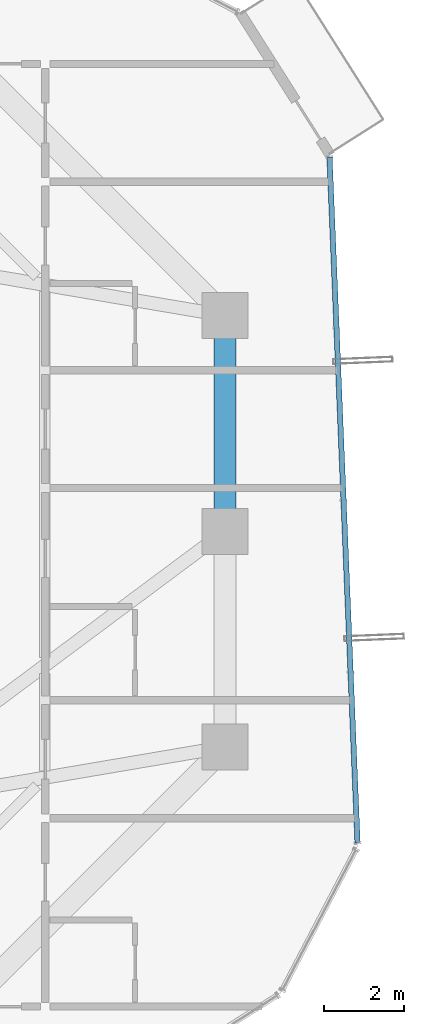
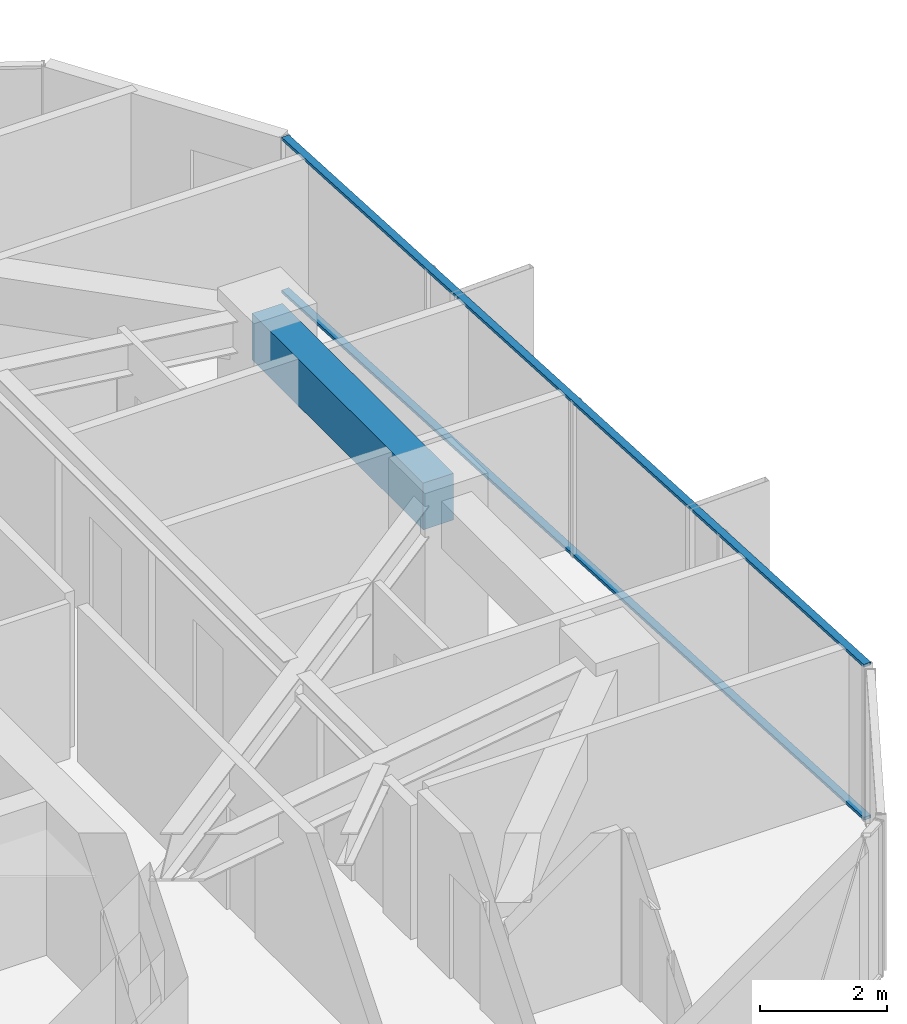
# One storey, part 15 of 32: 2 members, 1 beam, 1 element without a shape of its own.
"""IFC4 building model written with IfcOpenShell, lengths in metres."""

from ifc_helpers import new_model, si_unit, direction, frame, origin, origin_2d, place, context, subcontext, project, spatial, rectangle, hollow_rectangle, extrude, source, transform, mapped, material, layer, layer_set, material_profile, profile_set, type_object, element, aggregate, save


model = new_model("IFC4")

# Units and contexts
model_context = context("Model", 3, precision=1e-05, world=origin(), true_north=direction((0.0, 1.0)))
body_context = subcontext(model_context, "Body", "Model", "MODEL_VIEW")
ifc_project = project(units=[si_unit("LENGTHUNIT", "METRE"), si_unit("AREAUNIT", "SQUARE_METRE"), si_unit("VOLUMEUNIT", "CUBIC_METRE"), si_unit("PLANEANGLEUNIT", "RADIAN"), si_unit("MASSUNIT", "GRAM", prefix="KILO")], contexts=[model_context])

# Site, building, storey
site_placement = place(None, origin())
site = spatial("IfcSite", under=ifc_project, at=site_placement, CompositionType="ELEMENT")
building_placement = place(site_placement, origin())
building = spatial("IfcBuilding", under=site, at=building_placement, Name="Veraguas Prism Commons", CompositionType="ELEMENT")
storey_placement = place(building_placement, frame((0.0, 0.0, 136.0)))
storey = spatial("IfcBuildingStorey", under=building, at=storey_placement, Name="L38", CompositionType="ELEMENT", Elevation=136.0)

# Beam
ifc_material_1 = material(Name="Concrete C50/60", Category="concrete")
ifc_material_profile_1 = material_profile(ifc_material_1, rectangle(XDim=0.550048828125, YDim=0.89990234375, at=origin_2d()), Name="RC550X900")
ifc_profile_set_1 = profile_set([ifc_material_profile_1], Name="Concrete C50/60")
beam_type = type_object("IfcBeamType", Name="Perimeter Spandrel Lower RC 550x900", PredefinedType="SPANDREL", material=ifc_profile_set_1)
beam_placement = place(storey_placement, frame((40.199951171875, 24.0, 2.550048828125), z_axis=(0.0, 1.0, 0.0), x_axis=(-1.0, 0.0, 0.0)))
element("IfcBeam", 1, at=beam_placement, inside=storey, type_object=beam_type, Name="Perimeter Spandrel Beam L38-SP02", PredefinedType="SPANDREL", context=body_context, shape_type="SweptSolid", body=[
    extrude(rectangle(XDim=0.550048828125, YDim=0.89990234375, at=origin_2d()), origin(), (0.0, 0.0, 1.0), 5.39990234375),
])

# Curtain wall, members
ifc_material_2 = material(Name="Anodised aluminium EN AW-6063 T6", Category="aluminium")
ifc_layer = layer(ifc_material_2, 0.169921875, Name="Unitised Flush Curtain Wall Zone 2", Category="aluminium")
ifc_layer_set = layer_set([ifc_layer], Name="Anodised aluminium EN AW-6063 T6")
curtain_wall_type = type_object("IfcCurtainWallType", Name="Unitised Flush Curtain Wall Zone 2", PredefinedType="NOTDEFINED", material=ifc_layer_set)
curtain_wall_placement = place(storey_placement, origin())
curtain_wall = element("IfcCurtainWall", 2, at=curtain_wall_placement, inside=storey, type_object=curtain_wall_type, Name="Tower Facade Curtain Wall L38-F6", PredefinedType="NOTDEFINED")
ifc_material_profile_2 = material_profile(ifc_material_2, hollow_rectangle(XDim=0.054931640625, YDim=0.135009765625, WallThickness=0.0029296875, at=origin_2d()), Name="AL55X135X3")
ifc_profile_set_2 = profile_set([ifc_material_profile_2], Name="Anodised aluminium EN AW-6063 T6")
member_type = type_object("IfcMemberType", Name="Curtain Wall Transom Standard AL 55x135x3", PredefinedType="USERDEFINED", material=ifc_profile_set_2)
shared_shape = source(origin(), body_context, "Body", "SweptSolid", [
    extrude(hollow_rectangle(XDim=0.054931640625, YDim=0.135009765625, WallThickness=0.0029296875, at=origin_2d()), origin(), (0.0, 0.0, 1.0), 17.174560546875),
])
member_1_placement = place(storey_placement, frame((43.51708984375, 16.203125, 0.027587890625), z_axis=(-0.040826392629, 0.999166255267, 0.0), x_axis=(0.0, 0.0, 1.0)))
member_1 = element("IfcMember", 3, at=member_1_placement, type_object=member_type, Name="CW-Z2 Transom 1", ObjectType="TRANSOM", PredefinedType="USERDEFINED", context=body_context, shape_type="MappedRepresentation", body=[
    mapped(shared_shape, transform((0.0, 0.0, 0.0), scale=1.0)),
])
member_2_placement = place(storey_placement, frame((43.51708984375, 16.203125, 2.972412109375), z_axis=(-0.040826392629, 0.999166255267, 0.0), x_axis=(0.0, 0.0, 1.0)))
member_2 = element("IfcMember", 4, at=member_2_placement, type_object=member_type, Name="CW-Z2 Transom 2", ObjectType="TRANSOM", PredefinedType="USERDEFINED", context=body_context, shape_type="MappedRepresentation", body=[
    mapped(shared_shape, transform((0.0, 0.0, 0.0), scale=1.0)),
])
aggregate(curtain_wall, [member_1, member_2])

save(model, "model.ifc")
